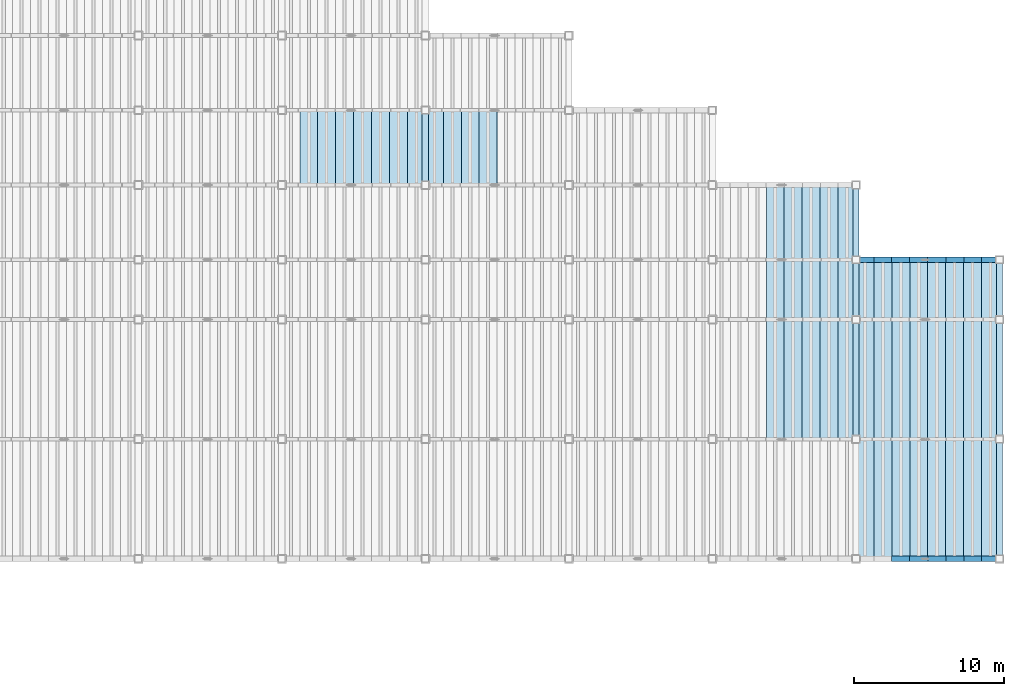
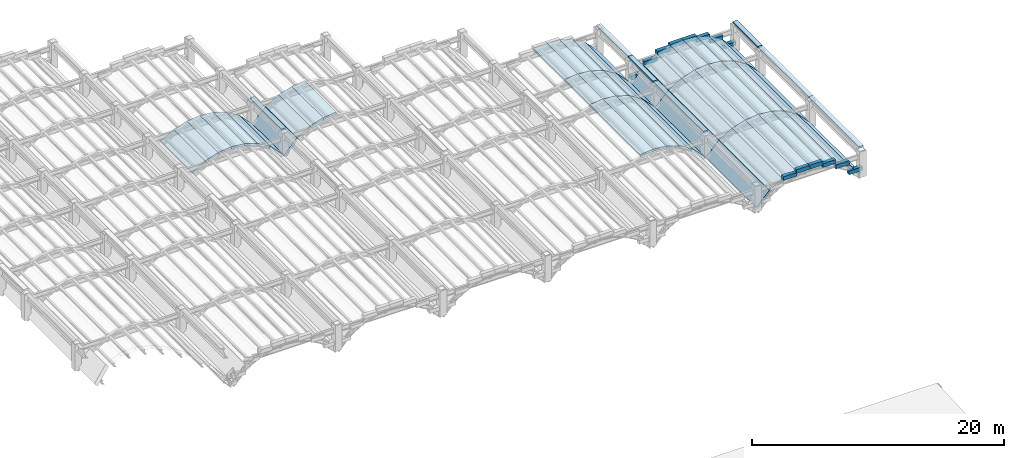
# One storey, part 38 of 70: 50 slabs, 21 plates.
"""IFC4 building model written with IfcOpenShell, lengths in metres."""

import ifcopenshell
import ifcopenshell.guid

model = None  # the IFC model being written
_history = None  # IfcOwnerHistory: only IFC2X3 demands one
_inside = {}  # id of a spatial element -> (the spatial element, [elements in it])
_under = {}  # id of a project, library or spatial element -> (it, [spatial elements below it])
_declared = {}  # id of a project -> (the project, [libraries it declares])
_typed = {}  # id of a type object -> (the type object, [elements of that type])
_made_of = {}  # id of a material, layer set ... -> (it, [elements and type objects made of it])


def new_model(schema):
    """Start an empty IFC model of exactly this schema.

    Asked for "IFC4X3", IfcOpenShell would pick the latest addendum, in which some entities
    have other attributes; the version numbers below select the first issue.
    IFC2X3 requires an IfcOwnerHistory on every rooted entity: one is made here for all.
    """
    global model, _history
    if schema == "IFC4X3":
        model = ifcopenshell.file(schema_version=(4, 3, 0, 0))
    else:
        model = ifcopenshell.file(schema=schema)
    _inside.clear()
    _under.clear()
    _declared.clear()
    _typed.clear()
    _made_of.clear()
    _history = None
    if model.schema == "IFC2X3":
        org = make("IfcOrganization", Name="unknown")
        user = make(
            "IfcPersonAndOrganization",
            ThePerson=make("IfcPerson", FamilyName="unknown"),
            TheOrganization=org,
        )
        app = make(
            "IfcApplication",
            ApplicationDeveloper=org,
            Version="unknown",
            ApplicationFullName="unknown",
            ApplicationIdentifier="unknown",
        )
        _history = make(
            "IfcOwnerHistory",
            OwningUser=user,
            OwningApplication=app,
            ChangeAction="ADDED",
            CreationDate=0,
        )
    return model


def make(cls, **values):
    """One entity of the class cls with the attributes given. An attribute that is None is left unset."""
    return model.create_entity(
        cls, **{name: value for name, value in values.items() if value is not None}
    )


def rooted(cls, **values):
    """An entity with a GlobalId (a new one), such as an element, a storey or a relation."""
    return make(cls, GlobalId=ifcopenshell.guid.new(), OwnerHistory=_history, **values)


def si_unit(unit_type, name, prefix=None):
    """IfcSIUnit, for example si_unit("LENGTHUNIT", "METRE", prefix="MILLI")."""
    return make("IfcSIUnit", UnitType=unit_type, Prefix=prefix, Name=name)


def assignment(units):
    """IfcUnitAssignment: the units of a project."""
    return None if units is None else make("IfcUnitAssignment", Units=units)


def point(xyz):
    """IfcCartesianPoint."""
    return None if xyz is None else make("IfcCartesianPoint", Coordinates=xyz)


def direction(xyz):
    """IfcDirection."""
    return None if xyz is None else make("IfcDirection", DirectionRatios=xyz)


def frame(location, z_axis=None, x_axis=None):
    """IfcAxis2Placement3D, a coordinate frame: its origin and axes. An axis left out is left unset."""
    return make(
        "IfcAxis2Placement3D",
        Location=point(location),
        Axis=direction(z_axis),
        RefDirection=direction(x_axis),
    )


def frame_2d(location, x_axis=None):
    """IfcAxis2Placement2D, a coordinate frame in the plane: its origin and x axis."""
    return make(
        "IfcAxis2Placement2D", Location=point(location), RefDirection=direction(x_axis)
    )


def origin():
    """The frame at (0, 0, 0) with its axes left unset."""
    return frame((0.0, 0.0, 0.0))


def origin_2d():
    """The frame at (0, 0) in the plane with its x axis left unset."""
    return frame_2d((0.0, 0.0))


def place(relative_to, where):
    """IfcLocalPlacement: puts the frame where relative to a parent placement (None: the world)."""
    return make(
        "IfcLocalPlacement", PlacementRelTo=relative_to, RelativePlacement=where
    )


def context(
    kind, dimensions, precision=None, world=None, true_north=None, identifier=None
):
    """IfcGeometricRepresentationContext, for example the 3D "Model" context."""
    return make(
        "IfcGeometricRepresentationContext",
        ContextIdentifier=identifier,
        ContextType=kind,
        CoordinateSpaceDimension=dimensions,
        Precision=precision,
        WorldCoordinateSystem=world,
        TrueNorth=true_north,
    )


def subcontext(parent, identifier, kind, view, scale=None):
    """IfcGeometricRepresentationSubContext, for example "Body" below "Model"."""
    return make(
        "IfcGeometricRepresentationSubContext",
        ContextIdentifier=identifier,
        ContextType=kind,
        ParentContext=parent,
        TargetScale=scale,
        TargetView=view,
    )


def project(units=None, contexts=None):
    """IfcProject with its units and contexts."""
    return rooted(
        "IfcProject",
        Name="project",
        RepresentationContexts=contexts,
        UnitsInContext=assignment(units),
    )


def spatial(cls, under=None, at=None, **own):
    """A site, building, storey or space (cls), placed at a placement, below another one or the project."""
    s = rooted(cls, ObjectPlacement=at, **own)
    if under is not None:
        _under.setdefault(under.id(), (under, []))[1].append(s)
    return s


def polyline(points):
    """IfcPolyline through the points."""
    return make("IfcPolyline", Points=[point(p) for p in points])


def profile(cls, at=None, kind="AREA", **sizes):
    """A parametric profile (cls). Its sizes go by their IFC names, for example OverallWidth=200.0."""
    return make(cls, ProfileType=kind, Position=at, **sizes)


def rectangle(**sizes):
    """IfcRectangleProfileDef."""
    return profile("IfcRectangleProfileDef", **sizes)


def outline(outer, holes=None, kind="AREA"):
    """IfcArbitraryClosedProfileDef: a profile drawn as a closed curve; with holes, ...WithVoids."""
    if holes is None:
        return make("IfcArbitraryClosedProfileDef", ProfileType=kind, OuterCurve=outer)
    return make(
        "IfcArbitraryProfileDefWithVoids",
        ProfileType=kind,
        OuterCurve=outer,
        InnerCurves=holes,
    )


def extrude(swept, where, along, depth):
    """IfcExtrudedAreaSolid: the profile swept, set in the frame where, extruded along a direction by depth."""
    return make(
        "IfcExtrudedAreaSolid",
        SweptArea=swept,
        Position=where,
        ExtrudedDirection=direction(along),
        Depth=depth,
    )


def shape(context_of_items, identifier, shape_type, items):
    """IfcShapeRepresentation: the items that make up one representation, for example the "Body"."""
    return make(
        "IfcShapeRepresentation",
        ContextOfItems=context_of_items,
        RepresentationIdentifier=identifier,
        RepresentationType=shape_type,
        Items=items,
    )


def material(Name=None, Category=None):
    """IfcMaterial."""
    return make("IfcMaterial", Name=Name, Category=Category)


def layer(
    of_material, thickness, ventilated=None, Name=None, Category=None, Priority=None
):
    """IfcMaterialLayer: one layer of a wall or slab, of a material (None: an air gap)."""
    return make(
        "IfcMaterialLayer",
        Material=of_material,
        LayerThickness=thickness,
        IsVentilated=ventilated,
        Name=Name,
        Category=Category,
        Priority=Priority,
    )


def layer_set(layers, Name=None):
    """IfcMaterialLayerSet."""
    return make("IfcMaterialLayerSet", MaterialLayers=layers, LayerSetName=Name)


def made_of(thing, what):
    """Note that an element or type object is made of a material, layer set ...; save() writes the relation."""
    if what is not None:
        _made_of.setdefault(what.id(), (what, []))[1].append(thing)
    return thing


def type_object(cls, material=None, **own):
    """A type object (cls), such as IfcWallType, which elements share."""
    return made_of(rooted(cls, **own), material)


def element(
    cls,
    number,
    at=None,
    inside=None,
    cuts=None,
    type_object=None,
    material=None,
    context=None,
    identifier="Body",
    shape_type=None,
    held_by="IfcProductDefinitionShape",
    body=None,
    shapes=None,
    **own,
):
    """One element of the class cls, such as IfcWall. Its Tag is "e" and its number.

    at: its placement. inside: the storey or other place that contains it. cuts: it is an
    opening in that element (IfcRelVoidsElement). A single representation is given by context,
    identifier, shape_type and body (its items); several are given by shapes. held_by: the class
    of the entity that holds the representations. save() writes the other relations.
    """
    e = rooted(cls, Tag="e%d" % number, ObjectPlacement=at, **own)
    if body is not None:
        shapes = [shape(context, identifier, shape_type, body)]
    if shapes is not None:
        e.Representation = make(held_by, Representations=shapes)
    if inside is not None:
        _inside.setdefault(inside.id(), (inside, []))[1].append(e)
    if cuts is not None:
        rooted(
            "IfcRelVoidsElement", RelatingBuildingElement=cuts, RelatedOpeningElement=e
        )
    if type_object is not None:
        _typed.setdefault(type_object.id(), (type_object, []))[1].append(e)
    return made_of(e, material)


def aggregate(whole, parts):
    """IfcRelAggregates: a whole, such as a stair, and the parts it consists of."""
    return rooted("IfcRelAggregates", RelatingObject=whole, RelatedObjects=parts)


def save(model, path):
    """Write the relations noted so far, then the file.

    IfcRelAggregates (storeys below a building ...), IfcRelContainedInSpatialStructure (elements
    in a storey), IfcRelDefinesByType, IfcRelAssociatesMaterial and IfcRelDeclares: one each for
    every whole, place, type object, material and project.
    """
    for whole, parts in _under.values():
        aggregate(whole, parts)
    for where, things in _inside.values():
        rooted(
            "IfcRelContainedInSpatialStructure",
            RelatedElements=things,
            RelatingStructure=where,
        )
    for kind, things in _typed.values():
        rooted("IfcRelDefinesByType", RelatedObjects=things, RelatingType=kind)
    for what, things in _made_of.values():
        rooted("IfcRelAssociatesMaterial", RelatedObjects=things, RelatingMaterial=what)
    for by, libraries in _declared.values():
        rooted("IfcRelDeclares", RelatingContext=by, RelatedDefinitions=libraries)
    model.write(path)


model = new_model("IFC4")

# Units and contexts
model_context = context("Model", 3, precision=1e-05, world=origin(), true_north=direction((0.0, 1.0)))
body_context = subcontext(model_context, "Body", "Model", "MODEL_VIEW")
ifc_project = project(units=[si_unit("LENGTHUNIT", "METRE"), si_unit("AREAUNIT", "SQUARE_METRE"), si_unit("VOLUMEUNIT", "CUBIC_METRE"), si_unit("PLANEANGLEUNIT", "RADIAN"), si_unit("MASSUNIT", "GRAM", prefix="KILO")], contexts=[model_context])

# Site, building, storey
site_placement = place(None, origin())
site = spatial("IfcSite", under=ifc_project, at=site_placement, CompositionType="ELEMENT")
building_placement = place(site_placement, origin())
building = spatial("IfcBuilding", under=site, at=building_placement, Name="Mavantir Sound Aquarium", CompositionType="ELEMENT")
storey_placement = place(building_placement, frame((0.0, 0.0, 27.0)))
storey = spatial("IfcBuildingStorey", under=building, at=storey_placement, Name="RF", CompositionType="ELEMENT", Elevation=27.0)

# Plates
ifc_material_1 = material(Name="Patinated Bronze-Copper Architectural Fascia", Category="metal")
ifc_layer_1 = layer(ifc_material_1, 0.179931640625, Name="Patinated Bronze-Copper Architectural Fascia")
ifc_layer_set_1 = layer_set([ifc_layer_1], Name="Patinated Bronze-Copper Architectural Fascia")
plate_type = type_object("IfcPlateType", Name="PLT-FASCIA-BZ", PredefinedType="SHEET", material=ifc_layer_set_1)
plate_1_placement = place(storey_placement, frame((136.800048828125, 68.300048828125, -4.52001953125), z_axis=(0.0, 0.0, 1.0), x_axis=(1.0, 0.0, 0.0)))
element("IfcPlate", 1, at=plate_1_placement, inside=storey, type_object=plate_type, Name="Scalloped roof bronze ridge fascia 31", PredefinedType="SHEET", context=body_context, shape_type="SweptSolid", body=[
    extrude(rectangle(XDim=0.419921875, YDim=5.0, at=origin_2d()), origin(), (0.0, 0.0, 1.0), 0.139892578125),
])
plate_2_placement = place(storey_placement, frame((165.60009765625, 52.800048828125, -4.52001953125), z_axis=(0.0, 0.0, 1.0), x_axis=(1.0, 0.0, 0.0)))
element("IfcPlate", 2, at=plate_2_placement, inside=storey, type_object=plate_type, Name="Scalloped roof bronze ridge fascia 46", PredefinedType="SHEET", context=body_context, shape_type="SweptSolid", body=[
    extrude(rectangle(XDim=0.419921875, YDim=8.0, at=origin_2d()), origin(), (0.0, 0.0, 1.0), 0.139892578125),
])
plate_3_placement = place(storey_placement, frame((165.60009765625, 58.800048828125, -4.52001953125), z_axis=(0.0, 0.0, 1.0), x_axis=(1.0, 0.0, 0.0)))
element("IfcPlate", 3, at=plate_3_placement, inside=storey, type_object=plate_type, Name="Scalloped roof bronze ridge fascia 47", PredefinedType="SHEET", context=body_context, shape_type="SweptSolid", body=[
    extrude(rectangle(XDim=0.419921875, YDim=4.0, at=origin_2d()), origin(), (0.0, 0.0, 1.0), 0.139892578125),
])
plate_4_placement = place(storey_placement, frame((165.60009765625, 63.300048828125, -4.52001953125), z_axis=(0.0, 0.0, 1.0), x_axis=(1.0, 0.0, 0.0)))
element("IfcPlate", 4, at=plate_4_placement, inside=storey, type_object=plate_type, Name="Scalloped roof bronze ridge fascia 48", PredefinedType="SHEET", context=body_context, shape_type="SweptSolid", body=[
    extrude(rectangle(XDim=0.419921875, YDim=5.0, at=origin_2d()), origin(), (0.0, 0.0, 1.0), 0.139892578125),
])
for number, where, z_axis, x_axis, name in (
    (5, (175.199951171875, 44.800048828125, -4.52001953125), (0.0, 0.0, 1.0), (1.0, 0.0, 0.0), "Scalloped roof bronze ridge fascia 49"),
    (6, (175.199951171875, 52.800048828125, -4.52001953125), (0.0, 0.0, 1.0), (1.0, 0.0, 0.0), "Scalloped roof bronze ridge fascia 50"),
):
    element("IfcPlate", number, at=place(storey_placement, frame(where, z_axis=z_axis, x_axis=x_axis)), inside=storey, type_object=plate_type, Name=name, PredefinedType="SHEET", context=body_context, shape_type="SweptSolid", body=[
        extrude(rectangle(XDim=0.419921875, YDim=8.0, at=origin_2d()), origin(), (0.0, 0.0, 1.0), 0.139892578125),
    ])
plate_5_placement = place(storey_placement, frame((175.199951171875, 58.800048828125, -4.52001953125), z_axis=(0.0, 0.0, 1.0), x_axis=(1.0, 0.0, 0.0)))
element("IfcPlate", 7, at=plate_5_placement, inside=storey, type_object=plate_type, Name="Scalloped roof bronze ridge fascia 51", PredefinedType="SHEET", context=body_context, shape_type="SweptSolid", body=[
    extrude(rectangle(XDim=0.419921875, YDim=4.0, at=origin_2d()), origin(), (0.0, 0.0, 1.0), 0.139892578125),
])
for number, where, z_axis, x_axis, name in (
    (8, (168.60009765625, 40.800048828125, -5.08935546875), (0.0, 0.0, 1.0), (1.0, 0.0, 0.0), "Scalloped bay 7 curved bronze end fascia 150"),
    (9, (169.800048828125, 40.800048828125, -4.83203125), (0.0, 0.0, 1.0), (1.0, 0.0, 0.0), "Scalloped bay 7 curved bronze end fascia 151"),
    (10, (171.0, 40.800048828125, -4.83203125), (0.0, 0.0, 1.0), (1.0, 0.0, 0.0), "Scalloped bay 7 curved bronze end fascia 152"),
    (11, (172.199951171875, 40.800048828125, -5.08935546875), (0.0, 0.0, 1.0), (1.0, 0.0, 0.0), "Scalloped bay 7 curved bronze end fascia 153"),
    (12, (173.39990234375, 40.800048828125, -5.6455078125), (0.0, 0.0, 1.0), (1.0, 0.0, 0.0), "Scalloped bay 7 curved bronze end fascia 154"),
    (13, (174.60009765625, 40.800048828125, -6.638671875), (0.0, 0.0, 1.0), (1.0, 0.0, 0.0), "Scalloped bay 7 curved bronze end fascia 155"),
    (14, (166.199951171875, 60.800048828125, -6.638671875), (0.0, 0.0, 1.0), (1.0, 0.0, 0.0), "Scalloped bay 7 curved bronze end fascia 156"),
    (15, (167.39990234375, 60.800048828125, -5.6455078125), (0.0, 0.0, 1.0), (1.0, 0.0, 0.0), "Scalloped bay 7 curved bronze end fascia 157"),
    (16, (168.60009765625, 60.800048828125, -5.08935546875), (0.0, 0.0, 1.0), (1.0, 0.0, 0.0), "Scalloped bay 7 curved bronze end fascia 158"),
    (17, (169.800048828125, 60.800048828125, -4.83203125), (0.0, 0.0, 1.0), (1.0, 0.0, 0.0), "Scalloped bay 7 curved bronze end fascia 159"),
    (18, (171.0, 60.800048828125, -4.83203125), (0.0, 0.0, 1.0), (1.0, 0.0, 0.0), "Scalloped bay 7 curved bronze end fascia 160"),
    (19, (172.199951171875, 60.800048828125, -5.08935546875), (0.0, 0.0, 1.0), (1.0, 0.0, 0.0), "Scalloped bay 7 curved bronze end fascia 161"),
    (20, (173.39990234375, 60.800048828125, -5.6455078125), (0.0, 0.0, 1.0), (1.0, 0.0, 0.0), "Scalloped bay 7 curved bronze end fascia 162"),
    (21, (174.60009765625, 60.800048828125, -6.638671875), (0.0, 0.0, 1.0), (1.0, 0.0, 0.0), "Scalloped bay 7 curved bronze end fascia 163"),
):
    element("IfcPlate", number, at=place(storey_placement, frame(where, z_axis=z_axis, x_axis=x_axis)), inside=storey, type_object=plate_type, Name=name, PredefinedType="SHEET", context=body_context, shape_type="SweptSolid", body=[
        extrude(rectangle(XDim=1.219970703125, YDim=0.360107421875, at=origin_2d()), origin(), (0.0, 0.0, 1.0), 0.360107421875),
    ])

# Slabs
ifc_material_2 = material(Name="Concrete C40/50", Category="concrete")
ifc_layer_2 = layer(ifc_material_2, 0.219970703125, Name="Concrete C40/50")
ifc_layer_set_2 = layer_set([ifc_layer_2], Name="Concrete C40/50")
slab_type = type_object("IfcSlabType", Name="SLB-RF-SC", PredefinedType="ROOF", material=ifc_layer_set_2)
slab_1_placement = place(storey_placement, frame((128.39990234375, 65.800048828125, -5.716796875), z_axis=(-0.515827757501, 0.0, 0.856692316174), x_axis=(0.856692316174, 0.0, 0.515827757501)))
element("IfcSlab", 22, at=slab_1_placement, inside=storey, type_object=slab_type, Name="Scalloped bay 3 sagging-arc roof panel 170", PredefinedType="ROOF", context=body_context, shape_type="SweptSolid", body=[
    extrude(outline(polyline([(0.0, 0.0), (1.4009642550083266, 0.0), (1.4009642550083266, 5.0), (0.0, 5.0), (0.0, 0.0)])), origin(), (0.0, 0.0, -1.0), 0.219970703125),
])
slab_2_placement = place(storey_placement, frame((129.60009765625, 65.800048828125, -4.994140625), z_axis=(-0.309020441102, 0.0, 0.951055396379), x_axis=(0.951055396379, 0.0, 0.309020441102)))
element("IfcSlab", 23, at=slab_2_placement, inside=storey, type_object=slab_type, Name="Scalloped bay 3 sagging-arc roof panel 171", PredefinedType="ROOF", context=body_context, shape_type="SweptSolid", body=[
    extrude(outline(polyline([(0.0, 0.0), (1.2617048138772973, 0.0), (1.2617048138772973, 5.0), (0.0, 5.0), (0.0, 0.0)])), origin(), (0.0, 0.0, -1.0), 0.219970703125),
])
for number, where, z_axis, x_axis, name in (
    (24, (130.800048828125, 65.800048828125, -4.604248046875), (-0.103009624196, 0.0, 0.994680359373), (0.994680359373, 0.0, 0.103009624196), "Scalloped bay 3 sagging-arc roof panel 172"),
    (25, (132.0, 65.800048828125, -4.47998046875), (0.103009624196, 0.0, 0.994680359373), (0.994680359373, 0.0, -0.103009624196), "Scalloped bay 3 sagging-arc roof panel 173"),
):
    element("IfcSlab", number, at=place(storey_placement, frame(where, z_axis=z_axis, x_axis=x_axis)), inside=storey, type_object=slab_type, Name=name, PredefinedType="ROOF", context=body_context, shape_type="SweptSolid", body=[
        extrude(outline(polyline([(0.0, 0.0), (1.206368619393442, 0.0), (1.206368619393442, 5.000000000000001), (0.0, 5.000000000000001), (0.0, 0.0)])), origin(), (0.0, 0.0, -1.0), 0.219970703125),
    ])
slab_3_placement = place(storey_placement, frame((133.199951171875, 65.800048828125, -4.604248046875), z_axis=(0.309020441102, 0.0, 0.951055396379), x_axis=(0.951055396379, 0.0, -0.309020441102)))
element("IfcSlab", 26, at=slab_3_placement, inside=storey, type_object=slab_type, Name="Scalloped bay 3 sagging-arc roof panel 174", PredefinedType="ROOF", context=body_context, shape_type="SweptSolid", body=[
    extrude(outline(polyline([(0.0, 0.0), (1.2617048138772973, 0.0), (1.2617048138772973, 5.0), (0.0, 5.0), (0.0, 0.0)])), origin(), (0.0, 0.0, -1.0), 0.219970703125),
])
slab_4_placement = place(storey_placement, frame((134.39990234375, 65.800048828125, -4.994140625), z_axis=(0.515827757501, 0.0, 0.856692316174), x_axis=(0.856692316174, 0.0, -0.515827757501)))
element("IfcSlab", 27, at=slab_4_placement, inside=storey, type_object=slab_type, Name="Scalloped bay 3 sagging-arc roof panel 175", PredefinedType="ROOF", context=body_context, shape_type="SweptSolid", body=[
    extrude(outline(polyline([(0.0, 0.0), (1.4009642550083266, 0.0), (1.4009642550083266, 5.0), (0.0, 5.0), (0.0, 0.0)])), origin(), (0.0, 0.0, -1.0), 0.219970703125),
])
for number, where, z_axis, x_axis, name in (
    (28, (135.60009765625, 65.800048828125, -5.716796875), (0.725020424784, 0.0, 0.688727365252), (0.688727365252, 0.0, -0.725020424784), "Scalloped bay 3 sagging-arc roof panel 176"),
    (29, (136.800048828125, 65.800048828125, -6.97998046875), (-0.725020424784, 0.0, 0.688727365252), (0.688727365252, 0.0, 0.725020424784), "Scalloped bay 4 sagging-arc roof panel 225"),
):
    element("IfcSlab", number, at=place(storey_placement, frame(where, z_axis=z_axis, x_axis=x_axis)), inside=storey, type_object=slab_type, Name=name, PredefinedType="ROOF", context=body_context, shape_type="SweptSolid", body=[
        extrude(outline(polyline([(0.0, 0.0), (1.74227311475651, 0.0), (1.74227311475651, 5.0), (0.0, 5.0), (0.0, 0.0)])), origin(), (0.0, 0.0, -1.0), 0.219970703125),
    ])
slab_5_placement = place(storey_placement, frame((138.0, 65.800048828125, -5.716796875), z_axis=(-0.515904776109, 0.0, 0.856645937356), x_axis=(0.856645937356, 0.0, 0.515904776109)))
element("IfcSlab", 30, at=slab_5_placement, inside=storey, type_object=slab_type, Name="Scalloped bay 4 sagging-arc roof panel 226", PredefinedType="ROOF", context=body_context, shape_type="SweptSolid", body=[
    extrude(outline(polyline([(0.0, 0.0), (1.4007551072718774, 0.0), (1.4007551072718774, 5.0), (0.0, 5.0), (0.0, 0.0)])), origin(), (0.0, 0.0, -1.0), 0.219970703125),
])
slab_6_placement = place(storey_placement, frame((139.199951171875, 65.800048828125, -4.994140625), z_axis=(-0.309020441102, 0.0, 0.951055396379), x_axis=(0.951055396379, 0.0, 0.309020441102)))
element("IfcSlab", 31, at=slab_6_placement, inside=storey, type_object=slab_type, Name="Scalloped bay 4 sagging-arc roof panel 227", PredefinedType="ROOF", context=body_context, shape_type="SweptSolid", body=[
    extrude(outline(polyline([(0.0, 0.0), (1.2617048138772973, 0.0), (1.2617048138772973, 5.0), (0.0, 5.0), (0.0, 0.0)])), origin(), (0.0, 0.0, -1.0), 0.219970703125),
])
slab_7_placement = place(storey_placement, frame((140.39990234375, 65.800048828125, -4.604248046875), z_axis=(-0.102988892519, 0.0, 0.994682506138), x_axis=(0.994682506138, 0.0, 0.102988892519)))
element("IfcSlab", 32, at=slab_7_placement, inside=storey, type_object=slab_type, Name="Scalloped bay 4 sagging-arc roof panel 228", PredefinedType="ROOF", context=body_context, shape_type="SweptSolid", body=[
    extrude(outline(polyline([(0.0, 0.0), (1.206611461540137, 0.0), (1.206611461540137, 5.000000000000001), (0.0, 5.000000000000001), (0.0, 0.0)])), origin(), (0.0, 0.0, -1.0), 0.219970703125),
])
for number, where, z_axis, x_axis, name in (
    (33, (159.60009765625, 48.800048828125, -4.604248046875), (-0.103009624196, 0.0, 0.994680359373), (0.994680359373, 0.0, 0.103009624196), "Scalloped bay 6 sagging-arc roof panel 292"),
    (34, (160.800048828125, 48.800048828125, -4.47998046875), (0.103009624196, 0.0, 0.994680359373), (0.994680359373, 0.0, -0.103009624196), "Scalloped bay 6 sagging-arc roof panel 293"),
):
    element("IfcSlab", number, at=place(storey_placement, frame(where, z_axis=z_axis, x_axis=x_axis)), inside=storey, type_object=slab_type, Name=name, PredefinedType="ROOF", context=body_context, shape_type="SweptSolid", body=[
        extrude(outline(polyline([(0.0, 0.0), (1.206368619393442, 0.0), (1.206368619393442, 8.000000000000002), (0.0, 8.000000000000002), (0.0, 0.0)])), origin(), (0.0, 0.0, -1.0), 0.219970703125),
    ])
slab_8_placement = place(storey_placement, frame((162.0, 48.800048828125, -4.604248046875), z_axis=(0.309020441102, 0.0, 0.951055396379), x_axis=(0.951055396379, 0.0, -0.309020441102)))
element("IfcSlab", 35, at=slab_8_placement, inside=storey, type_object=slab_type, Name="Scalloped bay 6 sagging-arc roof panel 294", PredefinedType="ROOF", context=body_context, shape_type="SweptSolid", body=[
    extrude(outline(polyline([(0.0, 0.0), (1.2617048138772973, 0.0), (1.2617048138772973, 8.000000000000002), (0.0, 8.000000000000002), (0.0, 0.0)])), origin(), (0.0, 0.0, -1.0), 0.219970703125),
])
slab_9_placement = place(storey_placement, frame((163.199951171875, 48.800048828125, -4.994140625), z_axis=(0.515904776109, 0.0, 0.856645937356), x_axis=(0.856645937356, 0.0, -0.515904776109)))
element("IfcSlab", 36, at=slab_9_placement, inside=storey, type_object=slab_type, Name="Scalloped bay 6 sagging-arc roof panel 295", PredefinedType="ROOF", context=body_context, shape_type="SweptSolid", body=[
    extrude(outline(polyline([(0.0, 0.0), (1.4007551072718774, 0.0), (1.4007551072718774, 8.0), (0.0, 8.0), (0.0, 0.0)])), origin(), (0.0, 0.0, -1.0), 0.219970703125),
])
slab_10_placement = place(storey_placement, frame((164.39990234375, 48.800048828125, -5.716796875), z_axis=(0.724950456261, 0.0, 0.688801013332), x_axis=(0.688801013332, 0.0, -0.724950456261)))
element("IfcSlab", 37, at=slab_10_placement, inside=storey, type_object=slab_type, Name="Scalloped bay 6 sagging-arc roof panel 296", PredefinedType="ROOF", context=body_context, shape_type="SweptSolid", body=[
    extrude(outline(polyline([(0.0, 0.0), (1.7424412700765952, 0.0), (1.7424412700765952, 8.000000000000002), (0.0, 8.000000000000002), (0.0, 0.0)])), origin(), (0.0, 0.0, -1.0), 0.219970703125),
])
for number, where, z_axis, x_axis, name in (
    (38, (159.60009765625, 56.800048828125, -4.604248046875), (-0.103009624196, 0.0, 0.994680359373), (0.994680359373, 0.0, 0.103009624196), "Scalloped bay 6 sagging-arc roof panel 300"),
    (39, (160.800048828125, 56.800048828125, -4.47998046875), (0.103009624196, 0.0, 0.994680359373), (0.994680359373, 0.0, -0.103009624196), "Scalloped bay 6 sagging-arc roof panel 301"),
):
    element("IfcSlab", number, at=place(storey_placement, frame(where, z_axis=z_axis, x_axis=x_axis)), inside=storey, type_object=slab_type, Name=name, PredefinedType="ROOF", context=body_context, shape_type="SweptSolid", body=[
        extrude(outline(polyline([(0.0, 0.0), (1.206368619393442, 0.0), (1.206368619393442, 4.000000000000001), (0.0, 4.000000000000001), (0.0, 0.0)])), origin(), (0.0, 0.0, -1.0), 0.219970703125),
    ])
slab_11_placement = place(storey_placement, frame((162.0, 56.800048828125, -4.604248046875), z_axis=(0.309020441102, 0.0, 0.951055396379), x_axis=(0.951055396379, 0.0, -0.309020441102)))
element("IfcSlab", 40, at=slab_11_placement, inside=storey, type_object=slab_type, Name="Scalloped bay 6 sagging-arc roof panel 302", PredefinedType="ROOF", context=body_context, shape_type="SweptSolid", body=[
    extrude(outline(polyline([(0.0, 0.0), (1.2617048138772973, 0.0), (1.2617048138772973, 4.000000000000001), (0.0, 4.000000000000001), (0.0, 0.0)])), origin(), (0.0, 0.0, -1.0), 0.219970703125),
])
slab_12_placement = place(storey_placement, frame((163.199951171875, 56.800048828125, -4.994140625), z_axis=(0.515904776109, 0.0, 0.856645937356), x_axis=(0.856645937356, 0.0, -0.515904776109)))
element("IfcSlab", 41, at=slab_12_placement, inside=storey, type_object=slab_type, Name="Scalloped bay 6 sagging-arc roof panel 303", PredefinedType="ROOF", context=body_context, shape_type="SweptSolid", body=[
    extrude(outline(polyline([(0.0, 0.0), (1.4007551072718774, 0.0), (1.4007551072718774, 4.0), (0.0, 4.0), (0.0, 0.0)])), origin(), (0.0, 0.0, -1.0), 0.219970703125),
])
slab_13_placement = place(storey_placement, frame((164.39990234375, 56.800048828125, -5.716796875), z_axis=(0.724950456261, 0.0, 0.688801013332), x_axis=(0.688801013332, 0.0, -0.724950456261)))
element("IfcSlab", 42, at=slab_13_placement, inside=storey, type_object=slab_type, Name="Scalloped bay 6 sagging-arc roof panel 304", PredefinedType="ROOF", context=body_context, shape_type="SweptSolid", body=[
    extrude(outline(polyline([(0.0, 0.0), (1.7424412700765952, 0.0), (1.7424412700765952, 4.000000000000001), (0.0, 4.000000000000001), (0.0, 0.0)])), origin(), (0.0, 0.0, -1.0), 0.219970703125),
])
for number, where, z_axis, x_axis, name in (
    (43, (159.60009765625, 60.800048828125, -4.604248046875), (-0.103009624196, 0.0, 0.994680359373), (0.994680359373, 0.0, 0.103009624196), "Scalloped bay 6 sagging-arc roof panel 308"),
    (44, (160.800048828125, 60.800048828125, -4.47998046875), (0.103009624196, 0.0, 0.994680359373), (0.994680359373, 0.0, -0.103009624196), "Scalloped bay 6 sagging-arc roof panel 309"),
):
    element("IfcSlab", number, at=place(storey_placement, frame(where, z_axis=z_axis, x_axis=x_axis)), inside=storey, type_object=slab_type, Name=name, PredefinedType="ROOF", context=body_context, shape_type="SweptSolid", body=[
        extrude(outline(polyline([(0.0, 0.0), (1.206368619393442, 0.0), (1.206368619393442, 5.000000000000001), (0.0, 5.000000000000001), (0.0, 0.0)])), origin(), (0.0, 0.0, -1.0), 0.219970703125),
    ])
slab_14_placement = place(storey_placement, frame((162.0, 60.800048828125, -4.604248046875), z_axis=(0.309020441102, 0.0, 0.951055396379), x_axis=(0.951055396379, 0.0, -0.309020441102)))
element("IfcSlab", 45, at=slab_14_placement, inside=storey, type_object=slab_type, Name="Scalloped bay 6 sagging-arc roof panel 310", PredefinedType="ROOF", context=body_context, shape_type="SweptSolid", body=[
    extrude(outline(polyline([(0.0, 0.0), (1.2617048138772973, 0.0), (1.2617048138772973, 5.0), (0.0, 5.0), (0.0, 0.0)])), origin(), (0.0, 0.0, -1.0), 0.219970703125),
])
slab_15_placement = place(storey_placement, frame((163.199951171875, 60.800048828125, -4.994140625), z_axis=(0.515904776109, 0.0, 0.856645937356), x_axis=(0.856645937356, 0.0, -0.515904776109)))
element("IfcSlab", 46, at=slab_15_placement, inside=storey, type_object=slab_type, Name="Scalloped bay 6 sagging-arc roof panel 311", PredefinedType="ROOF", context=body_context, shape_type="SweptSolid", body=[
    extrude(outline(polyline([(0.0, 0.0), (1.4007551072718774, 0.0), (1.4007551072718774, 5.0), (0.0, 5.0), (0.0, 0.0)])), origin(), (0.0, 0.0, -1.0), 0.219970703125),
])
slab_16_placement = place(storey_placement, frame((164.39990234375, 60.800048828125, -5.716796875), z_axis=(0.724950456261, 0.0, 0.688801013332), x_axis=(0.688801013332, 0.0, -0.724950456261)))
element("IfcSlab", 47, at=slab_16_placement, inside=storey, type_object=slab_type, Name="Scalloped bay 6 sagging-arc roof panel 312", PredefinedType="ROOF", context=body_context, shape_type="SweptSolid", body=[
    extrude(outline(polyline([(0.0, 0.0), (1.7424412700765952, 0.0), (1.7424412700765952, 5.0), (0.0, 5.0), (0.0, 0.0)])), origin(), (0.0, 0.0, -1.0), 0.219970703125),
])
slab_17_placement = place(storey_placement, frame((165.60009765625, 40.800048828125, -6.97998046875), z_axis=(-0.725020424784, 0.0, 0.688727365252), x_axis=(0.688727365252, 0.0, 0.725020424784)))
element("IfcSlab", 48, at=slab_17_placement, inside=storey, type_object=slab_type, Name="Scalloped bay 7 sagging-arc roof panel 313", PredefinedType="ROOF", context=body_context, shape_type="SweptSolid", body=[
    extrude(outline(polyline([(0.0, 0.0), (1.74227311475651, 0.0), (1.74227311475651, 8.0), (0.0, 8.0), (0.0, 0.0)])), origin(), (0.0, 0.0, -1.0), 0.219970703125),
])
slab_18_placement = place(storey_placement, frame((166.800048828125, 40.800048828125, -5.716796875), z_axis=(-0.515904776109, 0.0, 0.856645937356), x_axis=(0.856645937356, 0.0, 0.515904776109)))
element("IfcSlab", 49, at=slab_18_placement, inside=storey, type_object=slab_type, Name="Scalloped bay 7 sagging-arc roof panel 314", PredefinedType="ROOF", context=body_context, shape_type="SweptSolid", body=[
    extrude(outline(polyline([(0.0, 0.0), (1.4007551072718774, 0.0), (1.4007551072718774, 8.0), (0.0, 8.0), (0.0, 0.0)])), origin(), (0.0, 0.0, -1.0), 0.219970703125),
])
slab_19_placement = place(storey_placement, frame((168.0, 40.800048828125, -4.994140625), z_axis=(-0.309020441102, 0.0, 0.951055396379), x_axis=(0.951055396379, 0.0, 0.309020441102)))
element("IfcSlab", 50, at=slab_19_placement, inside=storey, type_object=slab_type, Name="Scalloped bay 7 sagging-arc roof panel 315", PredefinedType="ROOF", context=body_context, shape_type="SweptSolid", body=[
    extrude(outline(polyline([(0.0, 0.0), (1.2617048138772973, 0.0), (1.2617048138772973, 8.000000000000002), (0.0, 8.000000000000002), (0.0, 0.0)])), origin(), (0.0, 0.0, -1.0), 0.219970703125),
])
slab_20_placement = place(storey_placement, frame((169.199951171875, 40.800048828125, -4.604248046875), z_axis=(-0.103009624196, 0.0, 0.994680359373), x_axis=(0.994680359373, 0.0, 0.103009624196)))
element("IfcSlab", 51, at=slab_20_placement, inside=storey, type_object=slab_type, Name="Scalloped bay 7 sagging-arc roof panel 316", PredefinedType="ROOF", context=body_context, shape_type="SweptSolid", body=[
    extrude(outline(polyline([(0.0, 0.0), (1.206368619393442, 0.0), (1.206368619393442, 8.000000000000002), (0.0, 8.000000000000002), (0.0, 0.0)])), origin(), (0.0, 0.0, -1.0), 0.219970703125),
])
slab_21_placement = place(storey_placement, frame((170.39990234375, 40.800048828125, -4.47998046875), z_axis=(0.102988892519, 0.0, 0.994682506138), x_axis=(0.994682506138, 0.0, -0.102988892519)))
element("IfcSlab", 52, at=slab_21_placement, inside=storey, type_object=slab_type, Name="Scalloped bay 7 sagging-arc roof panel 317", PredefinedType="ROOF", context=body_context, shape_type="SweptSolid", body=[
    extrude(outline(polyline([(0.0, 0.0), (1.206611461540137, 0.0), (1.206611461540137, 8.0), (0.0, 8.0), (0.0, 0.0)])), origin(), (0.0, 0.0, -1.0), 0.219970703125),
])
slab_22_placement = place(storey_placement, frame((171.60009765625, 40.800048828125, -4.604248046875), z_axis=(0.309020441102, 0.0, 0.951055396379), x_axis=(0.951055396379, 0.0, -0.309020441102)))
element("IfcSlab", 53, at=slab_22_placement, inside=storey, type_object=slab_type, Name="Scalloped bay 7 sagging-arc roof panel 318", PredefinedType="ROOF", context=body_context, shape_type="SweptSolid", body=[
    extrude(outline(polyline([(0.0, 0.0), (1.2617048138772973, 0.0), (1.2617048138772973, 8.000000000000002), (0.0, 8.000000000000002), (0.0, 0.0)])), origin(), (0.0, 0.0, -1.0), 0.219970703125),
])
slab_23_placement = place(storey_placement, frame((172.800048828125, 40.800048828125, -4.994140625), z_axis=(0.515904776109, 0.0, 0.856645937356), x_axis=(0.856645937356, 0.0, -0.515904776109)))
element("IfcSlab", 54, at=slab_23_placement, inside=storey, type_object=slab_type, Name="Scalloped bay 7 sagging-arc roof panel 319", PredefinedType="ROOF", context=body_context, shape_type="SweptSolid", body=[
    extrude(outline(polyline([(0.0, 0.0), (1.4007551072718774, 0.0), (1.4007551072718774, 8.0), (0.0, 8.0), (0.0, 0.0)])), origin(), (0.0, 0.0, -1.0), 0.219970703125),
])
for number, where, z_axis, x_axis, name in (
    (55, (174.0, 40.800048828125, -5.716796875), (0.725020424784, 0.0, 0.688727365252), (0.688727365252, 0.0, -0.725020424784), "Scalloped bay 7 sagging-arc roof panel 320"),
    (56, (165.60009765625, 48.800048828125, -6.97998046875), (-0.725020424784, 0.0, 0.688727365252), (0.688727365252, 0.0, 0.725020424784), "Scalloped bay 7 sagging-arc roof panel 321"),
):
    element("IfcSlab", number, at=place(storey_placement, frame(where, z_axis=z_axis, x_axis=x_axis)), inside=storey, type_object=slab_type, Name=name, PredefinedType="ROOF", context=body_context, shape_type="SweptSolid", body=[
        extrude(outline(polyline([(0.0, 0.0), (1.74227311475651, 0.0), (1.74227311475651, 8.0), (0.0, 8.0), (0.0, 0.0)])), origin(), (0.0, 0.0, -1.0), 0.219970703125),
    ])
slab_24_placement = place(storey_placement, frame((166.800048828125, 48.800048828125, -5.716796875), z_axis=(-0.515904776109, 0.0, 0.856645937356), x_axis=(0.856645937356, 0.0, 0.515904776109)))
element("IfcSlab", 57, at=slab_24_placement, inside=storey, type_object=slab_type, Name="Scalloped bay 7 sagging-arc roof panel 322", PredefinedType="ROOF", context=body_context, shape_type="SweptSolid", body=[
    extrude(outline(polyline([(0.0, 0.0), (1.4007551072718774, 0.0), (1.4007551072718774, 8.0), (0.0, 8.0), (0.0, 0.0)])), origin(), (0.0, 0.0, -1.0), 0.219970703125),
])
slab_25_placement = place(storey_placement, frame((168.0, 48.800048828125, -4.994140625), z_axis=(-0.309020441102, 0.0, 0.951055396379), x_axis=(0.951055396379, 0.0, 0.309020441102)))
element("IfcSlab", 58, at=slab_25_placement, inside=storey, type_object=slab_type, Name="Scalloped bay 7 sagging-arc roof panel 323", PredefinedType="ROOF", context=body_context, shape_type="SweptSolid", body=[
    extrude(outline(polyline([(0.0, 0.0), (1.2617048138772973, 0.0), (1.2617048138772973, 8.000000000000002), (0.0, 8.000000000000002), (0.0, 0.0)])), origin(), (0.0, 0.0, -1.0), 0.219970703125),
])
slab_26_placement = place(storey_placement, frame((169.199951171875, 48.800048828125, -4.604248046875), z_axis=(-0.103009624196, 0.0, 0.994680359373), x_axis=(0.994680359373, 0.0, 0.103009624196)))
element("IfcSlab", 59, at=slab_26_placement, inside=storey, type_object=slab_type, Name="Scalloped bay 7 sagging-arc roof panel 324", PredefinedType="ROOF", context=body_context, shape_type="SweptSolid", body=[
    extrude(outline(polyline([(0.0, 0.0), (1.206368619393442, 0.0), (1.206368619393442, 8.000000000000002), (0.0, 8.000000000000002), (0.0, 0.0)])), origin(), (0.0, 0.0, -1.0), 0.219970703125),
])
slab_27_placement = place(storey_placement, frame((170.39990234375, 48.800048828125, -4.47998046875), z_axis=(0.102988892519, 0.0, 0.994682506138), x_axis=(0.994682506138, 0.0, -0.102988892519)))
element("IfcSlab", 60, at=slab_27_placement, inside=storey, type_object=slab_type, Name="Scalloped bay 7 sagging-arc roof panel 325", PredefinedType="ROOF", context=body_context, shape_type="SweptSolid", body=[
    extrude(outline(polyline([(0.0, 0.0), (1.206611461540137, 0.0), (1.206611461540137, 8.0), (0.0, 8.0), (0.0, 0.0)])), origin(), (0.0, 0.0, -1.0), 0.219970703125),
])
slab_28_placement = place(storey_placement, frame((171.60009765625, 48.800048828125, -4.604248046875), z_axis=(0.309020441102, 0.0, 0.951055396379), x_axis=(0.951055396379, 0.0, -0.309020441102)))
element("IfcSlab", 61, at=slab_28_placement, inside=storey, type_object=slab_type, Name="Scalloped bay 7 sagging-arc roof panel 326", PredefinedType="ROOF", context=body_context, shape_type="SweptSolid", body=[
    extrude(outline(polyline([(0.0, 0.0), (1.2617048138772973, 0.0), (1.2617048138772973, 8.000000000000002), (0.0, 8.000000000000002), (0.0, 0.0)])), origin(), (0.0, 0.0, -1.0), 0.219970703125),
])
slab_29_placement = place(storey_placement, frame((172.800048828125, 48.800048828125, -4.994140625), z_axis=(0.515904776109, 0.0, 0.856645937356), x_axis=(0.856645937356, 0.0, -0.515904776109)))
element("IfcSlab", 62, at=slab_29_placement, inside=storey, type_object=slab_type, Name="Scalloped bay 7 sagging-arc roof panel 327", PredefinedType="ROOF", context=body_context, shape_type="SweptSolid", body=[
    extrude(outline(polyline([(0.0, 0.0), (1.4007551072718774, 0.0), (1.4007551072718774, 8.0), (0.0, 8.0), (0.0, 0.0)])), origin(), (0.0, 0.0, -1.0), 0.219970703125),
])
slab_30_placement = place(storey_placement, frame((174.0, 48.800048828125, -5.716796875), z_axis=(0.725020424784, 0.0, 0.688727365252), x_axis=(0.688727365252, 0.0, -0.725020424784)))
element("IfcSlab", 63, at=slab_30_placement, inside=storey, type_object=slab_type, Name="Scalloped bay 7 sagging-arc roof panel 328", PredefinedType="ROOF", context=body_context, shape_type="SweptSolid", body=[
    extrude(outline(polyline([(0.0, 0.0), (1.74227311475651, 0.0), (1.74227311475651, 8.0), (0.0, 8.0), (0.0, 0.0)])), origin(), (0.0, 0.0, -1.0), 0.219970703125),
])
slab_31_placement = place(storey_placement, frame((165.60009765625, 56.800048828125, -6.97998046875), z_axis=(-0.725020424784, 0.0, 0.688727365252), x_axis=(0.688727365252, 0.0, 0.725020424784)))
element("IfcSlab", 64, at=slab_31_placement, inside=storey, type_object=slab_type, Name="Scalloped bay 7 sagging-arc roof panel 329", PredefinedType="ROOF", context=body_context, shape_type="SweptSolid", body=[
    extrude(outline(polyline([(0.0, 0.0), (1.74227311475651, 0.0), (1.74227311475651, 4.0), (0.0, 4.0), (0.0, 0.0)])), origin(), (0.0, 0.0, -1.0), 0.219970703125),
])
slab_32_placement = place(storey_placement, frame((166.800048828125, 56.800048828125, -5.716796875), z_axis=(-0.515904776109, 0.0, 0.856645937356), x_axis=(0.856645937356, 0.0, 0.515904776109)))
element("IfcSlab", 65, at=slab_32_placement, inside=storey, type_object=slab_type, Name="Scalloped bay 7 sagging-arc roof panel 330", PredefinedType="ROOF", context=body_context, shape_type="SweptSolid", body=[
    extrude(outline(polyline([(0.0, 0.0), (1.4007551072718774, 0.0), (1.4007551072718774, 4.0), (0.0, 4.0), (0.0, 0.0)])), origin(), (0.0, 0.0, -1.0), 0.219970703125),
])
slab_33_placement = place(storey_placement, frame((168.0, 56.800048828125, -4.994140625), z_axis=(-0.309020441102, 0.0, 0.951055396379), x_axis=(0.951055396379, 0.0, 0.309020441102)))
element("IfcSlab", 66, at=slab_33_placement, inside=storey, type_object=slab_type, Name="Scalloped bay 7 sagging-arc roof panel 331", PredefinedType="ROOF", context=body_context, shape_type="SweptSolid", body=[
    extrude(outline(polyline([(0.0, 0.0), (1.2617048138772973, 0.0), (1.2617048138772973, 4.000000000000001), (0.0, 4.000000000000001), (0.0, 0.0)])), origin(), (0.0, 0.0, -1.0), 0.219970703125),
])
slab_34_placement = place(storey_placement, frame((169.199951171875, 56.800048828125, -4.604248046875), z_axis=(-0.103009624196, 0.0, 0.994680359373), x_axis=(0.994680359373, 0.0, 0.103009624196)))
element("IfcSlab", 67, at=slab_34_placement, inside=storey, type_object=slab_type, Name="Scalloped bay 7 sagging-arc roof panel 332", PredefinedType="ROOF", context=body_context, shape_type="SweptSolid", body=[
    extrude(outline(polyline([(0.0, 0.0), (1.206368619393442, 0.0), (1.206368619393442, 4.000000000000001), (0.0, 4.000000000000001), (0.0, 0.0)])), origin(), (0.0, 0.0, -1.0), 0.219970703125),
])
slab_35_placement = place(storey_placement, frame((170.39990234375, 56.800048828125, -4.47998046875), z_axis=(0.102988892519, 0.0, 0.994682506138), x_axis=(0.994682506138, 0.0, -0.102988892519)))
element("IfcSlab", 68, at=slab_35_placement, inside=storey, type_object=slab_type, Name="Scalloped bay 7 sagging-arc roof panel 333", PredefinedType="ROOF", context=body_context, shape_type="SweptSolid", body=[
    extrude(outline(polyline([(0.0, 0.0), (1.206611461540137, 0.0), (1.206611461540137, 4.0), (0.0, 4.0), (0.0, 0.0)])), origin(), (0.0, 0.0, -1.0), 0.219970703125),
])
slab_36_placement = place(storey_placement, frame((171.60009765625, 56.800048828125, -4.604248046875), z_axis=(0.309020441102, 0.0, 0.951055396379), x_axis=(0.951055396379, 0.0, -0.309020441102)))
element("IfcSlab", 69, at=slab_36_placement, inside=storey, type_object=slab_type, Name="Scalloped bay 7 sagging-arc roof panel 334", PredefinedType="ROOF", context=body_context, shape_type="SweptSolid", body=[
    extrude(outline(polyline([(0.0, 0.0), (1.2617048138772973, 0.0), (1.2617048138772973, 4.000000000000001), (0.0, 4.000000000000001), (0.0, 0.0)])), origin(), (0.0, 0.0, -1.0), 0.219970703125),
])
slab_37_placement = place(storey_placement, frame((172.800048828125, 56.800048828125, -4.994140625), z_axis=(0.515904776109, 0.0, 0.856645937356), x_axis=(0.856645937356, 0.0, -0.515904776109)))
element("IfcSlab", 70, at=slab_37_placement, inside=storey, type_object=slab_type, Name="Scalloped bay 7 sagging-arc roof panel 335", PredefinedType="ROOF", context=body_context, shape_type="SweptSolid", body=[
    extrude(outline(polyline([(0.0, 0.0), (1.4007551072718774, 0.0), (1.4007551072718774, 4.0), (0.0, 4.0), (0.0, 0.0)])), origin(), (0.0, 0.0, -1.0), 0.219970703125),
])
slab_38_placement = place(storey_placement, frame((174.0, 56.800048828125, -5.716796875), z_axis=(0.725020424784, 0.0, 0.688727365252), x_axis=(0.688727365252, 0.0, -0.725020424784)))
element("IfcSlab", 71, at=slab_38_placement, inside=storey, type_object=slab_type, Name="Scalloped bay 7 sagging-arc roof panel 336", PredefinedType="ROOF", context=body_context, shape_type="SweptSolid", body=[
    extrude(outline(polyline([(0.0, 0.0), (1.74227311475651, 0.0), (1.74227311475651, 4.0), (0.0, 4.0), (0.0, 0.0)])), origin(), (0.0, 0.0, -1.0), 0.219970703125),
])

save(model, "model.ifc")
